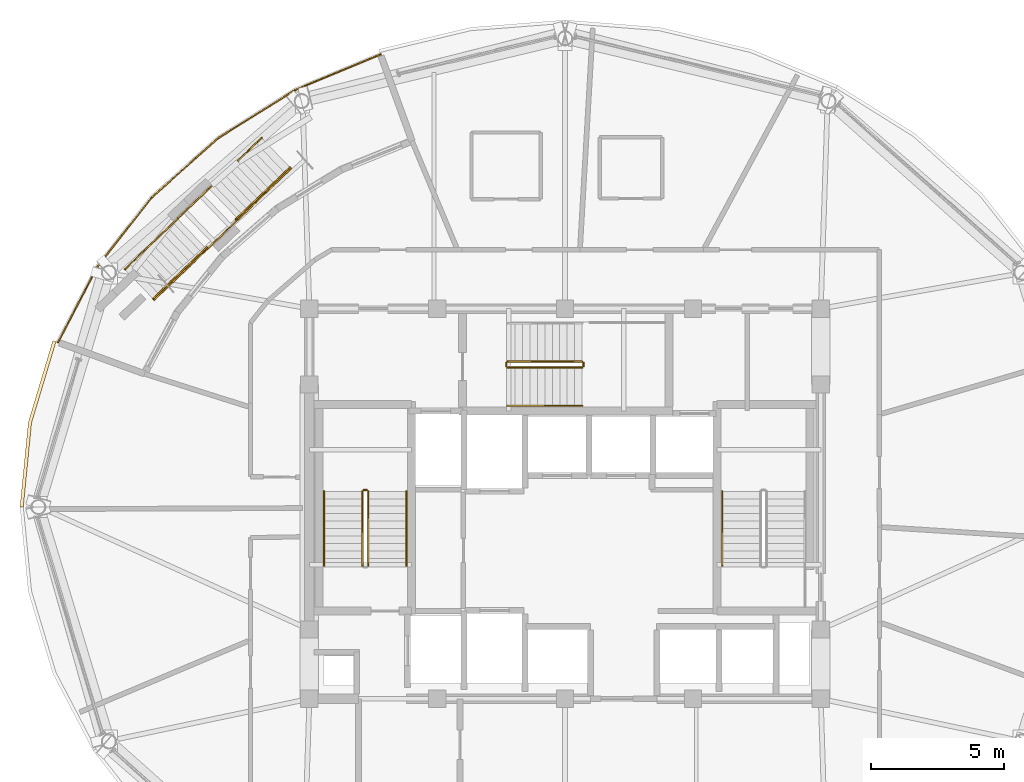
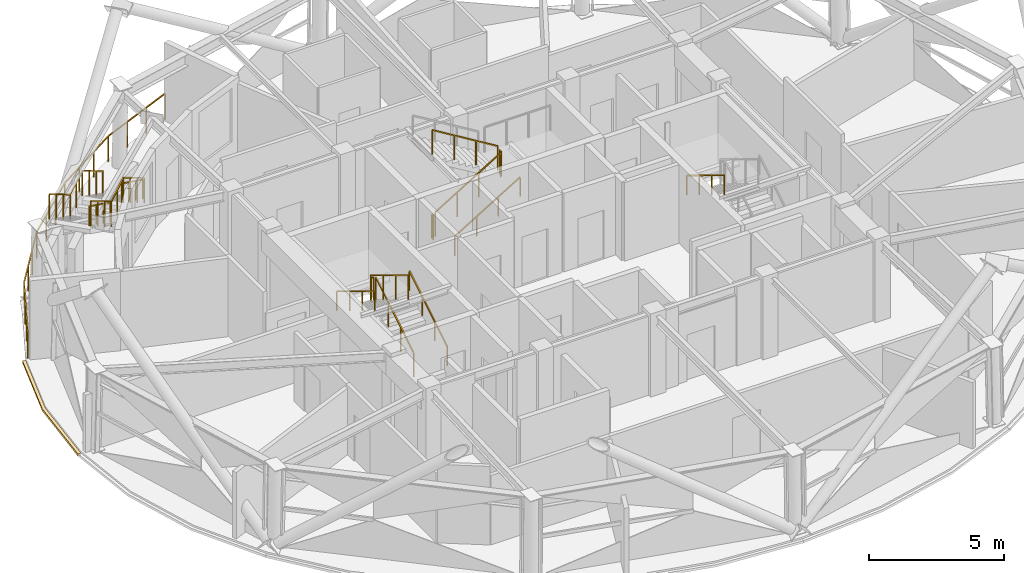
# One storey, part 14 of 16: 16 railings, 1 covering.
"""IFC4 building model written with IfcOpenShell, lengths in metres."""

from ifc_helpers import new_model, si_unit, direction, frame, origin, origin_2d, place, context, subcontext, project, spatial, polyline, rectangle, outline, extrude, material, layer, layer_set, type_object, element, save


model = new_model("IFC4")

# Units and contexts
model_context = context("Model", 3, precision=1e-05, world=origin(), true_north=direction((0.0, 1.0)))
body_context = subcontext(model_context, "Body", "Model", "MODEL_VIEW")
ifc_project = project(units=[si_unit("LENGTHUNIT", "METRE"), si_unit("AREAUNIT", "SQUARE_METRE"), si_unit("VOLUMEUNIT", "CUBIC_METRE"), si_unit("PLANEANGLEUNIT", "RADIAN"), si_unit("MASSUNIT", "GRAM", prefix="KILO")], contexts=[model_context])

# Site, building, storey
site_placement = place(None, origin())
site = spatial("IfcSite", under=ifc_project, at=site_placement, CompositionType="ELEMENT")
building_placement = place(site_placement, origin())
building = spatial("IfcBuilding", under=site, at=building_placement, Name="Vantalir Tower", CompositionType="ELEMENT")
storey_placement = place(building_placement, frame((0.0, 0.0, 267.60009765625)))
storey = spatial("IfcBuildingStorey", under=building, at=storey_placement, Name="L67", CompositionType="ELEMENT", Elevation=267.60009765625)

# Covering
ifc_material_1 = material(Name="Anodised champagne aluminium sill fascia", Category="aluminium")
ifc_layer = layer(ifc_material_1, 0.125)
ifc_layer_set = layer_set([ifc_layer], Name="Anodised champagne aluminium sill fascia")
covering_type = type_object("IfcCoveringType", Name="COV-SLAB-FASCIA-125", PredefinedType="CLADDING", material=ifc_layer_set)
covering_placement = place(storey_placement, frame((0.0, 0.0, -0.18017578125)))
element("IfcCovering", 1, at=covering_placement, inside=storey, type_object=covering_type, Name="L67 Perimeter Slab-Edge Sill Fascia 06", PredefinedType="CLADDING", context=body_context, shape_type="SweptSolid", body=[
    extrude(outline(polyline([(12.26904296875, 31.25390625), (11.345947265625, 28.175048828125), (11.034912109375, 25.0), (11.159912109375, 25.0), (11.468994140625, 28.154052734375), (12.386962890625, 31.2109375), (12.26904296875, 31.25390625)])), origin(), (0.0, 0.0, 1.0), 0.10498046875),
])

# Railings
ifc_material_2 = material(Name="Laminated safety glass and champagne-silver balustrade", Category="glass")
railing_type_1 = type_object("IfcRailingType", Name="RAL-BALUSTRADE-1200", PredefinedType="BALUSTRADE", material=ifc_material_2)
railing_1_placement = place(storey_placement, frame((24.571044921875, 41.990966796875, 0.0)))
element("IfcRailing", 2, at=railing_1_placement, inside=storey, type_object=railing_type_1, Name="L67 SG4 Sky-Garden Perimeter Balustrade", PredefinedType="BALUSTRADE", context=body_context, shape_type="SweptSolid", body=[
    extrude(rectangle(XDim=0.048095703125, YDim=0.048095703125, at=origin_2d()), frame((0.0, 0.0, 1.17578125), z_axis=(-0.923249749604, -0.384200338177, 0.0), x_axis=(0.384200338177, -0.923249749604, 0.0)), (0.0, 0.0, 1.0), 3.467041015625),
    extrude(rectangle(XDim=0.048095703125, YDim=0.048095703125, at=origin_2d()), frame((-3.200927734375, -1.33203125, 1.17578125), z_axis=(-0.848038506302, -0.5299346109, 0.0), x_axis=(0.5299346109, -0.848038506302, 0.0)), (0.0, 0.0, 1.0), 3.411376953125),
    extrude(rectangle(XDim=0.048095703125, YDim=0.048095703125, at=origin_2d()), frame((-6.093994140625, -3.139892578125, 1.17578125), z_axis=(-0.74601530581, -0.665928797619, 0.0), x_axis=(0.665928797619, -0.74601530581, 0.0)), (0.0, 0.0, 1.0), 3.34716796875),
    extrude(rectangle(XDim=0.048095703125, YDim=0.048095703125, at=origin_2d()), frame((-8.591064453125, -5.368896484375, 1.17578125), z_axis=(-0.617282612293, -0.786741492843, 0.0), x_axis=(0.786741492843, -0.617282612293, 0.0)), (0.0, 0.0, 1.0), 3.281982421875),
    extrude(rectangle(XDim=0.048095703125, YDim=0.048095703125, at=origin_2d()), frame((-10.616943359375, -7.950927734375, 1.17578125), z_axis=(-0.4630837957, -0.886314502962, 0.0), x_axis=(0.886314502962, -0.4630837957, 0.0)), (0.0, 0.0, 1.0), 3.22216796875),
    extrude(rectangle(XDim=0.0419921875, YDim=0.0419921875, at=origin_2d()), origin(), (0.0, 0.0, 1.0), 1.15185546875),
    extrude(rectangle(XDim=0.0419921875, YDim=0.0419921875, at=origin_2d()), frame((-1.06689453125, -0.444091796875, 0.0)), (0.0, 0.0, 1.0), 1.15185546875),
    extrude(rectangle(XDim=0.0419921875, YDim=0.0419921875, at=origin_2d()), frame((-2.134033203125, -0.887939453125, 0.0)), (0.0, 0.0, 1.0), 1.15185546875),
    extrude(rectangle(XDim=0.0419921875, YDim=0.0419921875, at=origin_2d()), frame((-3.200927734375, -1.33203125, 0.0)), (0.0, 0.0, 1.0), 1.15185546875),
    extrude(rectangle(XDim=0.0419921875, YDim=0.0419921875, at=origin_2d()), frame((-4.165283203125, -1.9345703125, 0.0)), (0.0, 0.0, 1.0), 1.15185546875),
    extrude(rectangle(XDim=0.0419921875, YDim=0.0419921875, at=origin_2d()), frame((-5.129638671875, -2.537353515625, 0.0)), (0.0, 0.0, 1.0), 1.15185546875),
    extrude(rectangle(XDim=0.0419921875, YDim=0.0419921875, at=origin_2d()), frame((-6.093994140625, -3.139892578125, 0.0)), (0.0, 0.0, 1.0), 1.15185546875),
    extrude(rectangle(XDim=0.0419921875, YDim=0.0419921875, at=origin_2d()), frame((-6.92626953125, -3.8828125, 0.0)), (0.0, 0.0, 1.0), 1.15185546875),
    extrude(rectangle(XDim=0.0419921875, YDim=0.0419921875, at=origin_2d()), frame((-7.7587890625, -4.6259765625, 0.0)), (0.0, 0.0, 1.0), 1.15185546875),
    extrude(rectangle(XDim=0.0419921875, YDim=0.0419921875, at=origin_2d()), frame((-8.591064453125, -5.368896484375, 0.0)), (0.0, 0.0, 1.0), 1.15185546875),
    extrude(rectangle(XDim=0.0419921875, YDim=0.0419921875, at=origin_2d()), frame((-9.266357421875, -6.2294921875, 0.0)), (0.0, 0.0, 1.0), 1.15185546875),
    extrude(rectangle(XDim=0.0419921875, YDim=0.0419921875, at=origin_2d()), frame((-9.941650390625, -7.09033203125, 0.0)), (0.0, 0.0, 1.0), 1.15185546875),
    extrude(rectangle(XDim=0.0419921875, YDim=0.0419921875, at=origin_2d()), frame((-10.616943359375, -7.950927734375, 0.0)), (0.0, 0.0, 1.0), 1.15185546875),
    extrude(rectangle(XDim=0.0419921875, YDim=0.0419921875, at=origin_2d()), frame((-11.1142578125, -8.90283203125, 0.0)), (0.0, 0.0, 1.0), 1.15185546875),
    extrude(rectangle(XDim=0.0419921875, YDim=0.0419921875, at=origin_2d()), frame((-11.61181640625, -9.85498046875, 0.0)), (0.0, 0.0, 1.0), 1.15185546875),
    extrude(rectangle(XDim=0.0419921875, YDim=0.0419921875, at=origin_2d()), frame((-12.109130859375, -10.806884765625, 0.0)), (0.0, 0.0, 1.0), 1.15185546875),
])
railing_2_placement = place(storey_placement, frame((20.10498046875, 38.85595703125, 0.0)))
element("IfcRailing", 3, at=railing_2_placement, inside=storey, type_object=railing_type_1, Name="Sky Garden Stair SG4 Balustrade OUT", PredefinedType="BALUSTRADE", context=body_context, shape_type="SweptSolid", body=[
    extrude(rectangle(XDim=0.048095703125, YDim=0.048095703125, at=origin_2d()), frame((0.0, 0.0, 1.1259765625), z_axis=(-0.596465756752, -0.573049115584, 0.561999388033), x_axis=(0.692809857395, -0.721120310002, 0.0)), (0.0, 0.0, 1.0), 3.336181640625),
    extrude(rectangle(XDim=0.048095703125, YDim=0.048095703125, at=origin_2d()), frame((-1.989990234375, -1.911865234375, 3.0009765625), z_axis=(-0.721304984565, -0.692617585137, 0.0), x_axis=(0.692617585137, -0.721304984565, 0.0)), (0.0, 0.0, 1.0), 1.599853515625),
    extrude(rectangle(XDim=0.048095703125, YDim=0.048095703125, at=origin_2d()), frame((-3.14404296875, -3.02001953125, 3.0009765625), z_axis=(-0.596465756752, -0.573049115584, 0.561999388033), x_axis=(0.692809857395, -0.721120310002, 0.0)), (0.0, 0.0, 1.0), 3.336181640625),
    extrude(rectangle(XDim=0.0419921875, YDim=0.0419921875, at=origin_2d()), origin(), (0.0, 0.0, 1.0), 1.101806640625),
    extrude(rectangle(XDim=0.0419921875, YDim=0.0419921875, at=origin_2d()), frame((-0.663330078125, -0.63720703125, 0.625)), (0.0, 0.0, 1.0), 1.101806640625),
    extrude(rectangle(XDim=0.0419921875, YDim=0.0419921875, at=origin_2d()), frame((-1.32666015625, -1.274658203125, 1.25)), (0.0, 0.0, 1.0), 1.101806640625),
    extrude(rectangle(XDim=0.0419921875, YDim=0.0419921875, at=origin_2d()), frame((-1.989990234375, -1.911865234375, 1.875)), (0.0, 0.0, 1.0), 1.101806640625),
    extrude(rectangle(XDim=0.0419921875, YDim=0.0419921875, at=origin_2d()), frame((-2.56689453125, -2.4658203125, 1.875)), (0.0, 0.0, 1.0), 1.101806640625),
    extrude(rectangle(XDim=0.0419921875, YDim=0.0419921875, at=origin_2d()), frame((-3.14404296875, -3.02001953125, 1.875)), (0.0, 0.0, 1.0), 1.101806640625),
    extrude(rectangle(XDim=0.0419921875, YDim=0.0419921875, at=origin_2d()), frame((-3.807373046875, -3.6572265625, 2.5)), (0.0, 0.0, 1.0), 1.101806640625),
    extrude(rectangle(XDim=0.0419921875, YDim=0.0419921875, at=origin_2d()), frame((-4.470703125, -4.294677734375, 3.125)), (0.0, 0.0, 1.0), 1.101806640625),
    extrude(rectangle(XDim=0.0419921875, YDim=0.0419921875, at=origin_2d()), frame((-5.134033203125, -4.931884765625, 3.75)), (0.0, 0.0, 1.0), 1.101806640625),
])
railing_3_placement = place(storey_placement, frame((21.20703125, 37.7099609375, 0.0)))
element("IfcRailing", 4, at=railing_3_placement, inside=storey, type_object=railing_type_1, Name="Sky Garden Stair SG4 Balustrade IN", PredefinedType="BALUSTRADE", context=body_context, shape_type="SweptSolid", body=[
    extrude(rectangle(XDim=0.048095703125, YDim=0.048095703125, at=origin_2d()), frame((0.0, 0.0, 1.1259765625), z_axis=(-0.596465756752, -0.573049115584, 0.561999388033), x_axis=(0.692809857395, -0.721120310002, 0.0)), (0.0, 0.0, 1.0), 3.336181640625),
    extrude(rectangle(XDim=0.048095703125, YDim=0.048095703125, at=origin_2d()), frame((-1.989990234375, -1.911865234375, 3.0009765625), z_axis=(-0.721000109662, -0.692934947789, 0.0), x_axis=(0.692934947789, -0.721000109662, 0.0)), (0.0, 0.0, 1.0), 1.6005859375),
    extrude(rectangle(XDim=0.048095703125, YDim=0.048095703125, at=origin_2d()), frame((-3.14404296875, -3.02099609375, 3.0009765625), z_axis=(-0.59665427825, -0.572949068421, 0.561901270013), x_axis=(0.69263308318, -0.721290102583, 0.0)), (0.0, 0.0, 1.0), 3.3369140625),
    extrude(rectangle(XDim=0.0419921875, YDim=0.0419921875, at=origin_2d()), origin(), (0.0, 0.0, 1.0), 1.101806640625),
    extrude(rectangle(XDim=0.0419921875, YDim=0.0419921875, at=origin_2d()), frame((-0.663330078125, -0.63720703125, 0.625)), (0.0, 0.0, 1.0), 1.101806640625),
    extrude(rectangle(XDim=0.0419921875, YDim=0.0419921875, at=origin_2d()), frame((-1.32666015625, -1.274658203125, 1.25)), (0.0, 0.0, 1.0), 1.101806640625),
    extrude(rectangle(XDim=0.0419921875, YDim=0.0419921875, at=origin_2d()), frame((-1.989990234375, -1.911865234375, 1.875)), (0.0, 0.0, 1.0), 1.101806640625),
    extrude(rectangle(XDim=0.0419921875, YDim=0.0419921875, at=origin_2d()), frame((-2.56689453125, -2.46630859375, 1.875)), (0.0, 0.0, 1.0), 1.101806640625),
    extrude(rectangle(XDim=0.0419921875, YDim=0.0419921875, at=origin_2d()), frame((-3.14404296875, -3.02099609375, 1.875)), (0.0, 0.0, 1.0), 1.101806640625),
    extrude(rectangle(XDim=0.0419921875, YDim=0.0419921875, at=origin_2d()), frame((-3.8076171875, -3.658203125, 2.5)), (0.0, 0.0, 1.0), 1.101806640625),
    extrude(rectangle(XDim=0.0419921875, YDim=0.0419921875, at=origin_2d()), frame((-4.471435546875, -4.295654296875, 3.125)), (0.0, 0.0, 1.0), 1.101806640625),
    extrude(rectangle(XDim=0.0419921875, YDim=0.0419921875, at=origin_2d()), frame((-5.135009765625, -4.932861328125, 3.75)), (0.0, 0.0, 1.0), 1.101806640625),
])
ifc_material_3 = material(Name="Anodised aluminium and stainless steel guard", Category="steel")
railing_type_2 = type_object("IfcRailingType", Name="RAL-GUARD-1120", PredefinedType="GUARDRAIL", material=ifc_material_3)
railing_4_placement = place(storey_placement, frame((24.110107421875, 22.7900390625, 0.17041015625)))
element("IfcRailing", 5, at=railing_4_placement, inside=storey, type_object=railing_type_2, Name="L67 ST1 stair guard 1", PredefinedType="GUARDRAIL", context=body_context, shape_type="SweptSolid", body=[
    extrude(rectangle(XDim=0.048095703125, YDim=0.048095703125, at=origin_2d()), frame((0.0, 0.0, 1.09619140625), z_axis=(0.0, 0.854169791009, 0.51999420009), x_axis=(-1.0, 0.0, 0.0)), (0.0, 0.0, 1.0), 3.278076171875),
    extrude(rectangle(XDim=0.0419921875, YDim=0.0419921875, at=origin_2d()), origin(), (0.0, 0.0, 1.0), 1.072021484375),
    extrude(rectangle(XDim=0.0419921875, YDim=0.0419921875, at=origin_2d()), frame((0.0, 0.933349609375, 0.568115234375)), (0.0, 0.0, 1.0), 1.072021484375),
    extrude(rectangle(XDim=0.0419921875, YDim=0.0419921875, at=origin_2d()), frame((0.0, 1.86669921875, 1.136474609375)), (0.0, 0.0, 1.0), 1.072021484375),
    extrude(rectangle(XDim=0.0419921875, YDim=0.0419921875, at=origin_2d()), frame((0.0, 2.800048828125, 1.70458984375)), (0.0, 0.0, 1.0), 1.072021484375),
])
railing_5_placement = place(storey_placement, frame((24.06005859375, 25.639892578125, 1.875)))
element("IfcRailing", 6, at=railing_5_placement, inside=storey, type_object=railing_type_2, Name="L67 ST1 stair guard 2", PredefinedType="GUARDRAIL", context=body_context, shape_type="SweptSolid", body=[
    extrude(rectangle(XDim=0.048095703125, YDim=0.048095703125, at=origin_2d()), frame((0.0, 0.0, 1.09619140625), z_axis=(-1.0, 0.0, 0.0), x_axis=(0.0, -1.0, 0.0)), (0.0, 0.0, 1.0), 0.1201171875),
    extrude(rectangle(XDim=0.0419921875, YDim=0.0419921875, at=origin_2d()), origin(), (0.0, 0.0, 1.0), 1.072021484375),
    extrude(rectangle(XDim=0.0419921875, YDim=0.0419921875, at=origin_2d()), frame((-0.1201171875, 0.0, 0.0)), (0.0, 0.0, 1.0), 1.072021484375),
])
railing_6_placement = place(storey_placement, frame((23.889892578125, 25.590087890625, 2.04541015625)))
element("IfcRailing", 7, at=railing_6_placement, inside=storey, type_object=railing_type_2, Name="L67 ST1 stair guard 3", PredefinedType="GUARDRAIL", context=body_context, shape_type="SweptSolid", body=[
    extrude(rectangle(XDim=0.048095703125, YDim=0.048095703125, at=origin_2d()), frame((0.0, 0.0, 1.09619140625), z_axis=(0.0, -0.854169791009, 0.51999420009), x_axis=(1.0, 0.0, 0.0)), (0.0, 0.0, 1.0), 3.278076171875),
    extrude(rectangle(XDim=0.0419921875, YDim=0.0419921875, at=origin_2d()), origin(), (0.0, 0.0, 1.0), 1.072021484375),
    extrude(rectangle(XDim=0.0419921875, YDim=0.0419921875, at=origin_2d()), frame((0.0, -0.933349609375, 0.568115234375)), (0.0, 0.0, 1.0), 1.072021484375),
    extrude(rectangle(XDim=0.0419921875, YDim=0.0419921875, at=origin_2d()), frame((0.0, -1.86669921875, 1.136474609375)), (0.0, 0.0, 1.0), 1.072021484375),
    extrude(rectangle(XDim=0.0419921875, YDim=0.0419921875, at=origin_2d()), frame((0.0, -2.800048828125, 1.70458984375)), (0.0, 0.0, 1.0), 1.072021484375),
])
railing_7_placement = place(storey_placement, frame((29.340087890625, 30.239990234375, 0.17041015625)))
element("IfcRailing", 8, at=railing_7_placement, inside=storey, type_object=railing_type_2, Name="L67 ST3 stair guard 1", PredefinedType="GUARDRAIL", context=body_context, shape_type="SweptSolid", body=[
    extrude(rectangle(XDim=0.048095703125, YDim=0.048095703125, at=origin_2d()), frame((0.0, 0.0, 1.09619140625), z_axis=(0.854149651119, 0.0, 0.520027281489), x_axis=(0.0, 1.0, 0.0)), (0.0, 0.0, 1.0), 3.27783203125),
    extrude(rectangle(XDim=0.0419921875, YDim=0.0419921875, at=origin_2d()), origin(), (0.0, 0.0, 1.0), 1.072021484375),
    extrude(rectangle(XDim=0.0419921875, YDim=0.0419921875, at=origin_2d()), frame((0.933349609375, 0.0, 0.568115234375)), (0.0, 0.0, 1.0), 1.072021484375),
    extrude(rectangle(XDim=0.0419921875, YDim=0.0419921875, at=origin_2d()), frame((1.866455078125, 0.0, 1.136474609375)), (0.0, 0.0, 1.0), 1.072021484375),
    extrude(rectangle(XDim=0.0419921875, YDim=0.0419921875, at=origin_2d()), frame((2.7998046875, 0.0, 1.70458984375)), (0.0, 0.0, 1.0), 1.072021484375),
])
railing_8_placement = place(storey_placement, frame((32.18994140625, 30.2900390625, 1.875)))
element("IfcRailing", 9, at=railing_8_placement, inside=storey, type_object=railing_type_2, Name="L67 ST3 stair guard 2", PredefinedType="GUARDRAIL", context=body_context, shape_type="SweptSolid", body=[
    extrude(rectangle(XDim=0.048095703125, YDim=0.048095703125, at=origin_2d()), frame((0.0, 0.0, 1.09619140625), z_axis=(0.0, 1.0, 0.0), x_axis=(-1.0, 0.0, 0.0)), (0.0, 0.0, 1.0), 0.119873046875),
    extrude(rectangle(XDim=0.0419921875, YDim=0.0419921875, at=origin_2d()), origin(), (0.0, 0.0, 1.0), 1.072021484375),
    extrude(rectangle(XDim=0.0419921875, YDim=0.0419921875, at=origin_2d()), frame((0.0, 0.119873046875, 0.0)), (0.0, 0.0, 1.0), 1.072021484375),
])
railing_9_placement = place(storey_placement, frame((32.139892578125, 30.4599609375, 2.04541015625)))
element("IfcRailing", 10, at=railing_9_placement, inside=storey, type_object=railing_type_2, Name="L67 ST3 stair guard 3", PredefinedType="GUARDRAIL", context=body_context, shape_type="SweptSolid", body=[
    extrude(rectangle(XDim=0.048095703125, YDim=0.048095703125, at=origin_2d()), frame((0.0, 0.0, 1.09619140625), z_axis=(-0.854149651119, 0.0, 0.520027281489), x_axis=(0.0, -1.0, 0.0)), (0.0, 0.0, 1.0), 3.27783203125),
    extrude(rectangle(XDim=0.0419921875, YDim=0.0419921875, at=origin_2d()), origin(), (0.0, 0.0, 1.0), 1.072021484375),
    extrude(rectangle(XDim=0.0419921875, YDim=0.0419921875, at=origin_2d()), frame((-0.933349609375, 0.0, 0.568115234375)), (0.0, 0.0, 1.0), 1.072021484375),
    extrude(rectangle(XDim=0.0419921875, YDim=0.0419921875, at=origin_2d()), frame((-1.866455078125, 0.0, 1.136474609375)), (0.0, 0.0, 1.0), 1.072021484375),
    extrude(rectangle(XDim=0.0419921875, YDim=0.0419921875, at=origin_2d()), frame((-2.7998046875, 0.0, 1.70458984375)), (0.0, 0.0, 1.0), 1.072021484375),
])
railing_10_placement = place(storey_placement, frame((29.2900390625, 30.2900390625, 0.0)))
element("IfcRailing", 11, at=railing_10_placement, inside=storey, type_object=railing_type_2, Name="L67 ST3 stair guard 4", PredefinedType="GUARDRAIL", context=body_context, shape_type="SweptSolid", body=[
    extrude(rectangle(XDim=0.048095703125, YDim=0.048095703125, at=origin_2d()), frame((0.0, 0.0, 1.09619140625), z_axis=(0.0, 1.0, 0.0), x_axis=(-1.0, 0.0, 0.0)), (0.0, 0.0, 1.0), 0.119873046875),
    extrude(rectangle(XDim=0.0419921875, YDim=0.0419921875, at=origin_2d()), origin(), (0.0, 0.0, 1.0), 1.072021484375),
    extrude(rectangle(XDim=0.0419921875, YDim=0.0419921875, at=origin_2d()), frame((0.0, 0.119873046875, 0.0)), (0.0, 0.0, 1.0), 1.072021484375),
])
ifc_material_4 = material(Name="Brushed stainless steel tubular handrail", Category="steel")
railing_type_3 = type_object("IfcRailingType", Name="RAL-HANDRAIL-900", PredefinedType="HANDRAIL", material=ifc_material_4)
railing_11_placement = place(storey_placement, frame((25.550048828125, 22.7900390625, 0.17041015625)))
element("IfcRailing", 12, at=railing_11_placement, inside=storey, type_object=railing_type_3, Name="L67 ST1 stair handrail 1", PredefinedType="HANDRAIL", context=body_context, shape_type="SweptSolid", body=[
    extrude(rectangle(XDim=0.048095703125, YDim=0.048095703125, at=origin_2d()), frame((0.0, 0.0, 0.8759765625), z_axis=(0.0, 0.854169791009, 0.51999420009), x_axis=(-1.0, 0.0, 0.0)), (0.0, 0.0, 1.0), 3.278076171875),
    extrude(rectangle(XDim=0.0419921875, YDim=0.0419921875, at=origin_2d()), origin(), (0.0, 0.0, 1.0), 0.851806640625),
    extrude(rectangle(XDim=0.0419921875, YDim=0.0419921875, at=origin_2d()), frame((0.0, 0.933349609375, 0.568115234375)), (0.0, 0.0, 1.0), 0.851806640625),
    extrude(rectangle(XDim=0.0419921875, YDim=0.0419921875, at=origin_2d()), frame((0.0, 1.86669921875, 1.136474609375)), (0.0, 0.0, 1.0), 0.851806640625),
    extrude(rectangle(XDim=0.0419921875, YDim=0.0419921875, at=origin_2d()), frame((0.0, 2.800048828125, 1.70458984375)), (0.0, 0.0, 1.0), 0.851806640625),
])
for number, where, name in (
    (13, (22.449951171875, 25.590087890625, 2.04541015625), "L67 ST1 stair handrail 2"),
    (14, (37.39990234375, 25.590087890625, 2.04541015625), "L67 ST2 stair handrail 2"),
):
    element("IfcRailing", number, at=place(storey_placement, frame(where)), inside=storey, type_object=railing_type_3, Name=name, PredefinedType="HANDRAIL", context=body_context, shape_type="SweptSolid", body=[
        extrude(rectangle(XDim=0.048095703125, YDim=0.048095703125, at=origin_2d()), frame((0.0, 0.0, 0.8759765625), z_axis=(0.0, -0.854169791009, 0.51999420009), x_axis=(1.0, 0.0, 0.0)), (0.0, 0.0, 1.0), 3.278076171875),
        extrude(rectangle(XDim=0.0419921875, YDim=0.0419921875, at=origin_2d()), origin(), (0.0, 0.0, 1.0), 0.851806640625),
        extrude(rectangle(XDim=0.0419921875, YDim=0.0419921875, at=origin_2d()), frame((0.0, -0.933349609375, 0.568115234375)), (0.0, 0.0, 1.0), 0.851806640625),
        extrude(rectangle(XDim=0.0419921875, YDim=0.0419921875, at=origin_2d()), frame((0.0, -1.86669921875, 1.136474609375)), (0.0, 0.0, 1.0), 0.851806640625),
        extrude(rectangle(XDim=0.0419921875, YDim=0.0419921875, at=origin_2d()), frame((0.0, -2.800048828125, 1.70458984375)), (0.0, 0.0, 1.0), 0.851806640625),
    ])
railing_12_placement = place(storey_placement, frame((29.340087890625, 28.800048828125, 0.17041015625)))
element("IfcRailing", 15, at=railing_12_placement, inside=storey, type_object=railing_type_3, Name="L67 ST3 stair handrail 1", PredefinedType="HANDRAIL", context=body_context, shape_type="SweptSolid", body=[
    extrude(rectangle(XDim=0.048095703125, YDim=0.048095703125, at=origin_2d()), frame((0.0, 0.0, 0.8759765625), z_axis=(0.854149651119, 0.0, 0.520027281489), x_axis=(0.0, 1.0, 0.0)), (0.0, 0.0, 1.0), 3.27783203125),
    extrude(rectangle(XDim=0.0419921875, YDim=0.0419921875, at=origin_2d()), origin(), (0.0, 0.0, 1.0), 0.851806640625),
    extrude(rectangle(XDim=0.0419921875, YDim=0.0419921875, at=origin_2d()), frame((0.933349609375, 0.0, 0.568115234375)), (0.0, 0.0, 1.0), 0.851806640625),
    extrude(rectangle(XDim=0.0419921875, YDim=0.0419921875, at=origin_2d()), frame((1.866455078125, 0.0, 1.136474609375)), (0.0, 0.0, 1.0), 0.851806640625),
    extrude(rectangle(XDim=0.0419921875, YDim=0.0419921875, at=origin_2d()), frame((2.7998046875, 0.0, 1.70458984375)), (0.0, 0.0, 1.0), 0.851806640625),
])
for number, where, name in (
    (16, (21.1650390625, 37.7529296875, 0.169921875), "Sky Garden Stair SG4 Handrail F1"),
    (17, (18.050048828125, 34.760009765625, 2.044921875), "Sky Garden Stair SG4 Handrail F2"),
):
    element("IfcRailing", number, at=place(storey_placement, frame(where)), inside=storey, type_object=railing_type_3, Name=name, PredefinedType="HANDRAIL", context=body_context, shape_type="SweptSolid", body=[
        extrude(rectangle(XDim=0.048095703125, YDim=0.048095703125, at=origin_2d()), frame((0.0, 0.0, 0.8759765625), z_axis=(-0.615882586171, -0.591753691622, 0.520111726943), x_axis=(0.692840318368, -0.721091043658, 0.0)), (0.0, 0.0, 1.0), 3.2783203125),
        extrude(rectangle(XDim=0.0419921875, YDim=0.0419921875, at=origin_2d()), origin(), (0.0, 0.0, 1.0), 0.851806640625),
        extrude(rectangle(XDim=0.0419921875, YDim=0.0419921875, at=origin_2d()), frame((-0.673095703125, -0.646728515625, 0.568359375)), (0.0, 0.0, 1.0), 0.851806640625),
        extrude(rectangle(XDim=0.0419921875, YDim=0.0419921875, at=origin_2d()), frame((-1.345947265625, -1.293212890625, 1.13671875)), (0.0, 0.0, 1.0), 0.851806640625),
        extrude(rectangle(XDim=0.0419921875, YDim=0.0419921875, at=origin_2d()), frame((-2.01904296875, -1.93994140625, 1.705078125)), (0.0, 0.0, 1.0), 0.851806640625),
    ])

save(model, "model.ifc")
